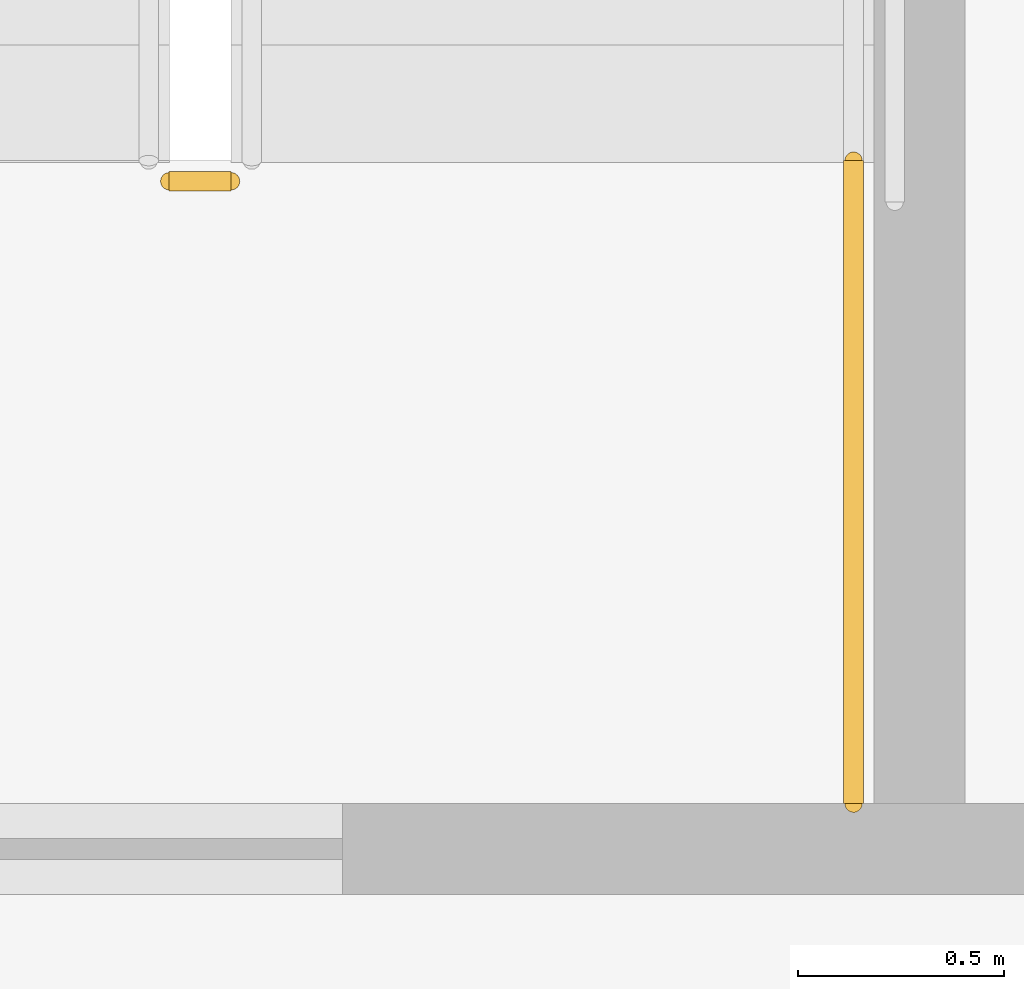
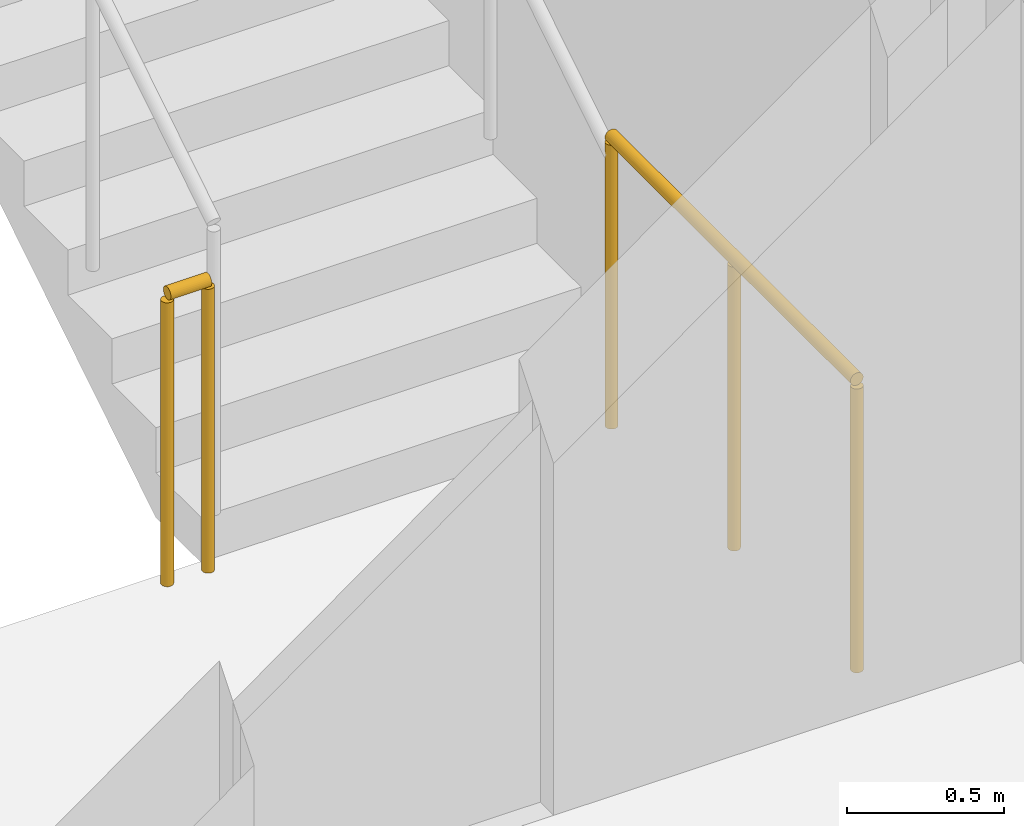
# One storey, part 12 of 15: 2 railings.
"""IFC4 building model written with IfcOpenShell, lengths in metres."""

from ifc_helpers import new_model, si_unit, direction, frame, origin, origin_2d, place, context, subcontext, project, spatial, circle, extrude, material, type_object, element, save


model = new_model("IFC4")

# Units and contexts
model_context = context("Model", 3, precision=1e-05, world=origin(), true_north=direction((0.0, 1.0)))
body_context = subcontext(model_context, "Body", "Model", "MODEL_VIEW")
ifc_project = project(units=[si_unit("LENGTHUNIT", "METRE"), si_unit("AREAUNIT", "SQUARE_METRE"), si_unit("VOLUMEUNIT", "CUBIC_METRE"), si_unit("PLANEANGLEUNIT", "RADIAN"), si_unit("MASSUNIT", "GRAM", prefix="KILO")], contexts=[model_context])

# Site, building, storey
site_placement = place(None, origin())
site = spatial("IfcSite", under=ifc_project, at=site_placement, CompositionType="ELEMENT")
building_placement = place(site_placement, origin())
building = spatial("IfcBuilding", under=site, at=building_placement, Name="Khairoan Windgate Tower", CompositionType="ELEMENT")
storey_placement = place(building_placement, frame((0.0, 0.0, 34.39990234375)))
storey = spatial("IfcBuildingStorey", under=building, at=storey_placement, Name="L08", CompositionType="ELEMENT", Elevation=34.39990234375)

# Railings
ifc_material = material(Name="Steel S355", Category="steel")
railing_type = type_object("IfcRailingType", Name="Stairwell Safety Guardrail SGR-1150", PredefinedType="GUARDRAIL", material=ifc_material)
railing_1_placement = place(storey_placement, frame((-17.7099609375, 2.909912109375, 0.0)))
element("IfcRailing", 1, at=railing_1_placement, inside=storey, type_object=railing_type, Name="L08 ST2 stair guard 7", PredefinedType="GUARDRAIL", context=body_context, shape_type="SweptSolid", body=[
    extrude(circle(Radius=0.02392578125, at=origin_2d()), frame((0.0, 0.0, 1.1259765625), z_axis=(-1.0, 0.0, 0.0), x_axis=(0.0, -1.0, 0.0)), (0.0, 0.0, 1.0), 0.150146484375),
    extrude(circle(Radius=0.02099609375, at=origin_2d()), origin(), (0.0, 0.0, 1.0), 1.101806640625),
    extrude(circle(Radius=0.02099609375, at=origin_2d()), frame((-0.150146484375, 0.0, 0.0)), (0.0, 0.0, 1.0), 1.101806640625),
])
railing_2_placement = place(storey_placement, frame((-16.199951171875, 1.39990234375, 0.0)))
element("IfcRailing", 2, at=railing_2_placement, inside=storey, type_object=railing_type, Name="L08 ST2 stair guard 8", PredefinedType="GUARDRAIL", context=body_context, shape_type="SweptSolid", body=[
    extrude(circle(Radius=0.02392578125, at=origin_2d()), frame((0.0, 0.0, 1.1259765625), z_axis=(0.0, 1.0, 0.0), x_axis=(-1.0, 0.0, 0.0)), (0.0, 0.0, 1.0), 1.56005859375),
    extrude(circle(Radius=0.02099609375, at=origin_2d()), origin(), (0.0, 0.0, 1.0), 1.101806640625),
    extrude(circle(Radius=0.02099609375, at=origin_2d()), frame((0.0, 0.780029296875, 0.0)), (0.0, 0.0, 1.0), 1.101806640625),
    extrude(circle(Radius=0.02099609375, at=origin_2d()), frame((0.0, 1.56005859375, 0.0)), (0.0, 0.0, 1.0), 1.101806640625),
])

save(model, "model.ifc")
